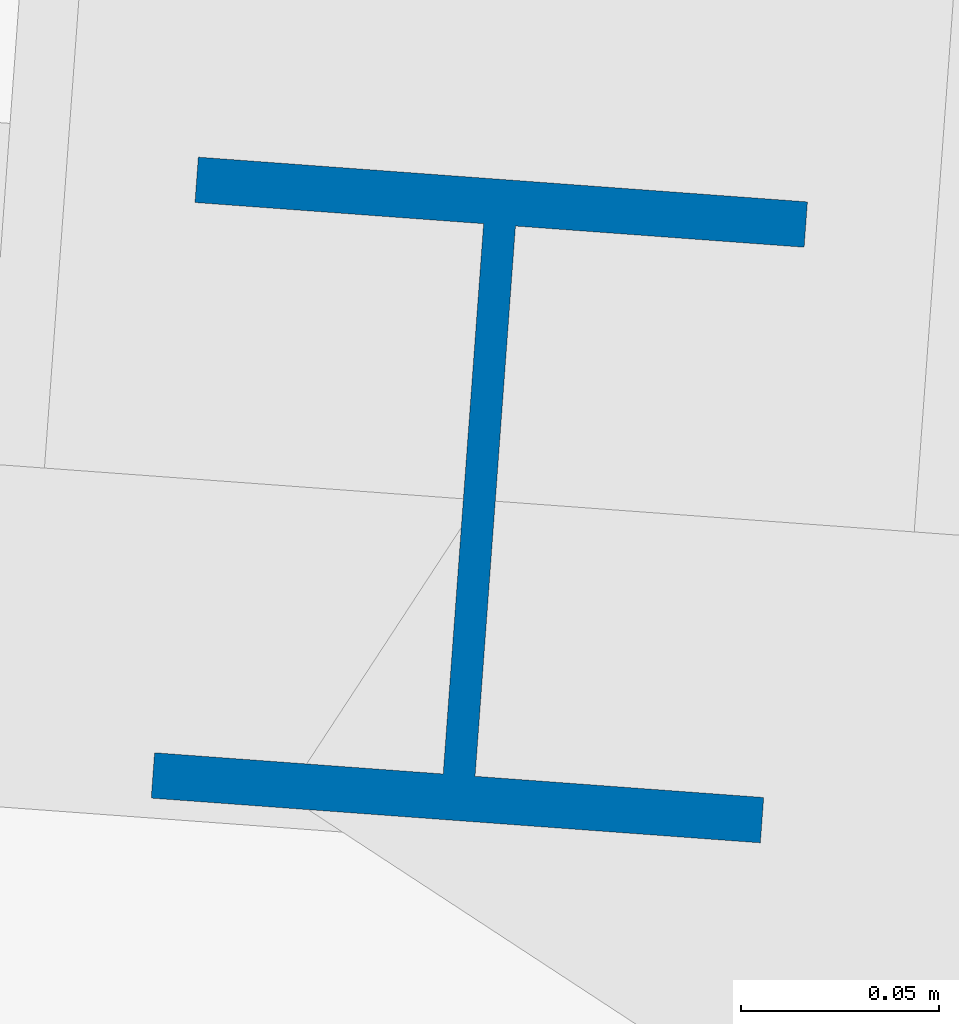
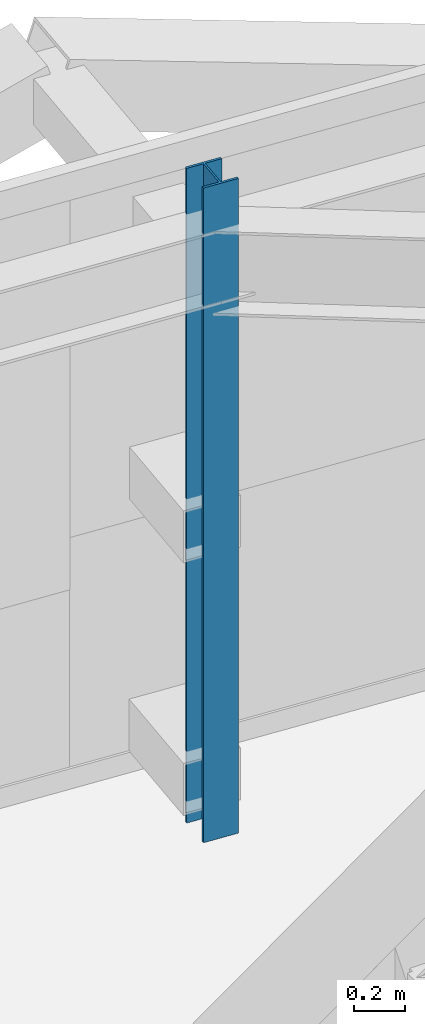
# One storey, part 8 of 34: 1 column.
"""IFC4 building model written with IfcOpenShell, lengths in metres."""

from ifc_helpers import new_model, si_unit, direction, frame, origin, origin_2d, place, context, subcontext, project, spatial, i_section, extrude, source, transform, mapped, material, material_profile, profile_set, type_object, element, save


model = new_model("IFC4")

# Units and contexts
model_context = context("Model", 3, precision=1e-05, world=origin(), true_north=direction((0.0, 1.0)))
body_context = subcontext(model_context, "Body", "Model", "MODEL_VIEW")
ifc_project = project(units=[si_unit("LENGTHUNIT", "METRE"), si_unit("AREAUNIT", "SQUARE_METRE"), si_unit("VOLUMEUNIT", "CUBIC_METRE"), si_unit("PLANEANGLEUNIT", "RADIAN"), si_unit("MASSUNIT", "GRAM", prefix="KILO")], contexts=[model_context])

# Site, building, storey
site_placement = place(None, origin())
site = spatial("IfcSite", under=ifc_project, at=site_placement, CompositionType="ELEMENT")
building_placement = place(site_placement, origin())
building = spatial("IfcBuilding", under=site, at=building_placement, Name="Taldren Reach Tower", CompositionType="ELEMENT")
storey_placement = place(building_placement, frame((0.0, 0.0, 246.050048828125)))
storey = spatial("IfcBuildingStorey", under=building, at=storey_placement, Name="L75", CompositionType="ELEMENT", Elevation=246.050048828125)

# Column
ifc_material = material(Name="Steel Gr 350 (350PLUS)", Category="steel")
ifc_material_profile = material_profile(ifc_material, i_section(OverallWidth=0.154052734375, OverallDepth=0.162109375, WebThickness=0.008056640625, FlangeThickness=0.011474609375, at=origin_2d()), Name="150UC37.2")
ifc_profile_set = profile_set([ifc_material_profile], Name="Steel Gr 350 (350PLUS)")
column_type = type_object("IfcColumnType", Name="COL-UC150", PredefinedType="COLUMN", material=ifc_profile_set)
shared_shape = source(origin(), body_context, "Body", "SweptSolid", [
    extrude(i_section(OverallWidth=0.154052734375, OverallDepth=0.162109375, WebThickness=0.008056640625, FlangeThickness=0.011474609375, at=origin_2d()), origin(), (0.0, 0.0, 1.0), 3.14990234375),
])
column_placement = place(storey_placement, frame((47.199462890625, 34.487548828125, 0.0), z_axis=(0.0, 0.0, 1.0), x_axis=(0.997314477224, -0.073238197128, 0.0)))
element("IfcColumn", 1, at=column_placement, inside=storey, type_object=column_type, Name="Block B5 perimeter column N5 L75", PredefinedType="COLUMN", context=body_context, shape_type="MappedRepresentation", body=[
    mapped(shared_shape, transform((0.0, 0.0, 0.0), scale=1.0)),
])

save(model, "model.ifc")
